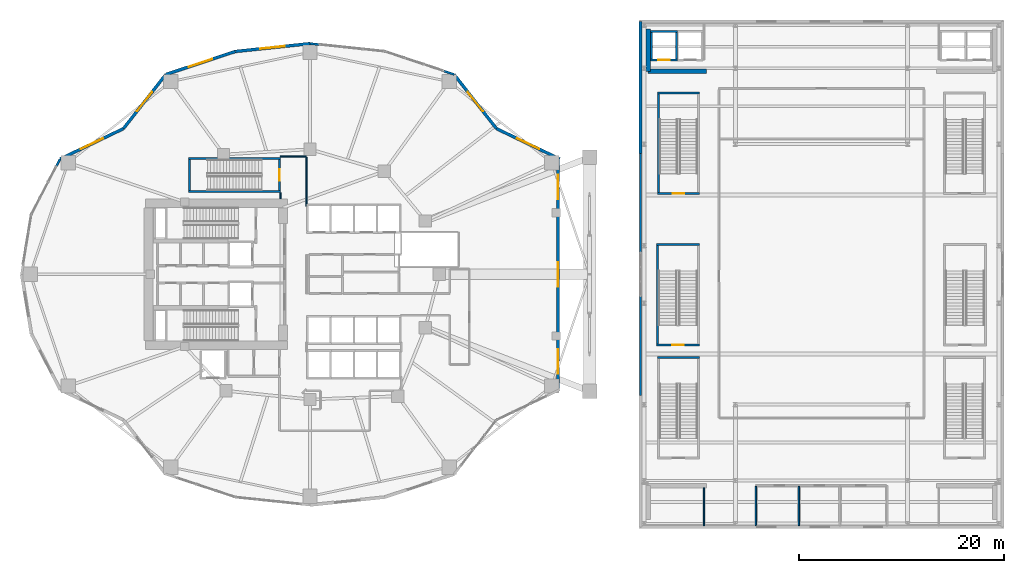
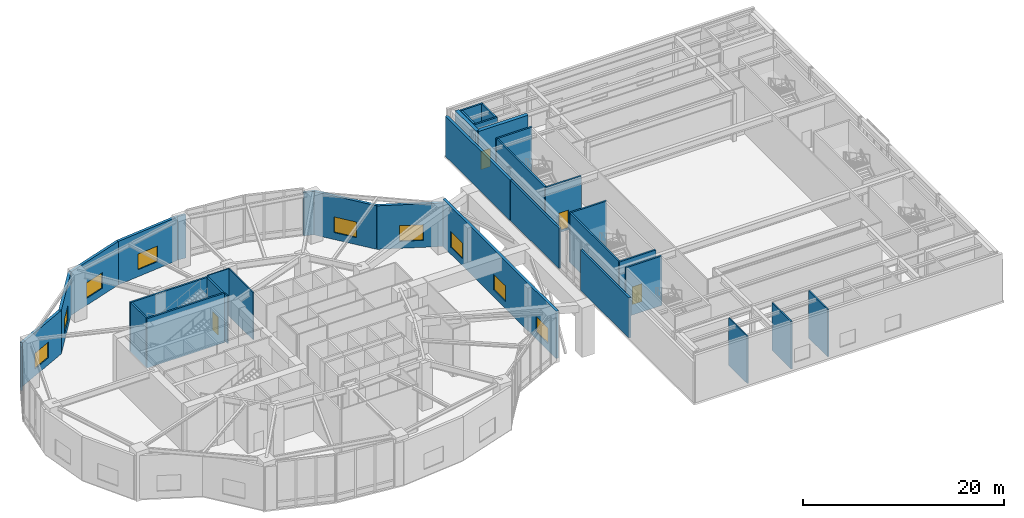
# One storey, part 18 of 25: 36 walls, 9 windows, 4 doors, 13 openings.
"""IFC4 building model written with IfcOpenShell, lengths in metres."""

import ifcopenshell
import ifcopenshell.guid

model = None  # the IFC model being written
_history = None  # IfcOwnerHistory: only IFC2X3 demands one
_inside = {}  # id of a spatial element -> (the spatial element, [elements in it])
_under = {}  # id of a project, library or spatial element -> (it, [spatial elements below it])
_declared = {}  # id of a project -> (the project, [libraries it declares])
_typed = {}  # id of a type object -> (the type object, [elements of that type])
_made_of = {}  # id of a material, layer set ... -> (it, [elements and type objects made of it])


def new_model(schema):
    """Start an empty IFC model of exactly this schema.

    Asked for "IFC4X3", IfcOpenShell would pick the latest addendum, in which some entities
    have other attributes; the version numbers below select the first issue.
    IFC2X3 requires an IfcOwnerHistory on every rooted entity: one is made here for all.
    """
    global model, _history
    if schema == "IFC4X3":
        model = ifcopenshell.file(schema_version=(4, 3, 0, 0))
    else:
        model = ifcopenshell.file(schema=schema)
    _inside.clear()
    _under.clear()
    _declared.clear()
    _typed.clear()
    _made_of.clear()
    _history = None
    if model.schema == "IFC2X3":
        org = make("IfcOrganization", Name="unknown")
        user = make(
            "IfcPersonAndOrganization",
            ThePerson=make("IfcPerson", FamilyName="unknown"),
            TheOrganization=org,
        )
        app = make(
            "IfcApplication",
            ApplicationDeveloper=org,
            Version="unknown",
            ApplicationFullName="unknown",
            ApplicationIdentifier="unknown",
        )
        _history = make(
            "IfcOwnerHistory",
            OwningUser=user,
            OwningApplication=app,
            ChangeAction="ADDED",
            CreationDate=0,
        )
    return model


def make(cls, **values):
    """One entity of the class cls with the attributes given. An attribute that is None is left unset."""
    return model.create_entity(
        cls, **{name: value for name, value in values.items() if value is not None}
    )


def rooted(cls, **values):
    """An entity with a GlobalId (a new one), such as an element, a storey or a relation."""
    return make(cls, GlobalId=ifcopenshell.guid.new(), OwnerHistory=_history, **values)


def si_unit(unit_type, name, prefix=None):
    """IfcSIUnit, for example si_unit("LENGTHUNIT", "METRE", prefix="MILLI")."""
    return make("IfcSIUnit", UnitType=unit_type, Prefix=prefix, Name=name)


def assignment(units):
    """IfcUnitAssignment: the units of a project."""
    return None if units is None else make("IfcUnitAssignment", Units=units)


def point(xyz):
    """IfcCartesianPoint."""
    return None if xyz is None else make("IfcCartesianPoint", Coordinates=xyz)


def direction(xyz):
    """IfcDirection."""
    return None if xyz is None else make("IfcDirection", DirectionRatios=xyz)


def frame(location, z_axis=None, x_axis=None):
    """IfcAxis2Placement3D, a coordinate frame: its origin and axes. An axis left out is left unset."""
    return make(
        "IfcAxis2Placement3D",
        Location=point(location),
        Axis=direction(z_axis),
        RefDirection=direction(x_axis),
    )


def frame_2d(location, x_axis=None):
    """IfcAxis2Placement2D, a coordinate frame in the plane: its origin and x axis."""
    return make(
        "IfcAxis2Placement2D", Location=point(location), RefDirection=direction(x_axis)
    )


def origin():
    """The frame at (0, 0, 0) with its axes left unset."""
    return frame((0.0, 0.0, 0.0))


def place(relative_to, where):
    """IfcLocalPlacement: puts the frame where relative to a parent placement (None: the world)."""
    return make(
        "IfcLocalPlacement", PlacementRelTo=relative_to, RelativePlacement=where
    )


def context(
    kind, dimensions, precision=None, world=None, true_north=None, identifier=None
):
    """IfcGeometricRepresentationContext, for example the 3D "Model" context."""
    return make(
        "IfcGeometricRepresentationContext",
        ContextIdentifier=identifier,
        ContextType=kind,
        CoordinateSpaceDimension=dimensions,
        Precision=precision,
        WorldCoordinateSystem=world,
        TrueNorth=true_north,
    )


def subcontext(parent, identifier, kind, view, scale=None):
    """IfcGeometricRepresentationSubContext, for example "Body" below "Model"."""
    return make(
        "IfcGeometricRepresentationSubContext",
        ContextIdentifier=identifier,
        ContextType=kind,
        ParentContext=parent,
        TargetScale=scale,
        TargetView=view,
    )


def project(units=None, contexts=None):
    """IfcProject with its units and contexts."""
    return rooted(
        "IfcProject",
        Name="project",
        RepresentationContexts=contexts,
        UnitsInContext=assignment(units),
    )


def spatial(cls, under=None, at=None, **own):
    """A site, building, storey or space (cls), placed at a placement, below another one or the project."""
    s = rooted(cls, ObjectPlacement=at, **own)
    if under is not None:
        _under.setdefault(under.id(), (under, []))[1].append(s)
    return s


def profile(cls, at=None, kind="AREA", **sizes):
    """A parametric profile (cls). Its sizes go by their IFC names, for example OverallWidth=200.0."""
    return make(cls, ProfileType=kind, Position=at, **sizes)


def rectangle(**sizes):
    """IfcRectangleProfileDef."""
    return profile("IfcRectangleProfileDef", **sizes)


def extrude(swept, where, along, depth):
    """IfcExtrudedAreaSolid: the profile swept, set in the frame where, extruded along a direction by depth."""
    return make(
        "IfcExtrudedAreaSolid",
        SweptArea=swept,
        Position=where,
        ExtrudedDirection=direction(along),
        Depth=depth,
    )


def shape(context_of_items, identifier, shape_type, items):
    """IfcShapeRepresentation: the items that make up one representation, for example the "Body"."""
    return make(
        "IfcShapeRepresentation",
        ContextOfItems=context_of_items,
        RepresentationIdentifier=identifier,
        RepresentationType=shape_type,
        Items=items,
    )


def material(Name=None, Category=None):
    """IfcMaterial."""
    return make("IfcMaterial", Name=Name, Category=Category)


def layer(
    of_material, thickness, ventilated=None, Name=None, Category=None, Priority=None
):
    """IfcMaterialLayer: one layer of a wall or slab, of a material (None: an air gap)."""
    return make(
        "IfcMaterialLayer",
        Material=of_material,
        LayerThickness=thickness,
        IsVentilated=ventilated,
        Name=Name,
        Category=Category,
        Priority=Priority,
    )


def layer_set(layers, Name=None):
    """IfcMaterialLayerSet."""
    return make("IfcMaterialLayerSet", MaterialLayers=layers, LayerSetName=Name)


def made_of(thing, what):
    """Note that an element or type object is made of a material, layer set ...; save() writes the relation."""
    if what is not None:
        _made_of.setdefault(what.id(), (what, []))[1].append(thing)
    return thing


def type_object(cls, material=None, **own):
    """A type object (cls), such as IfcWallType, which elements share."""
    return made_of(rooted(cls, **own), material)


def element(
    cls,
    number,
    at=None,
    inside=None,
    cuts=None,
    type_object=None,
    material=None,
    context=None,
    identifier="Body",
    shape_type=None,
    held_by="IfcProductDefinitionShape",
    body=None,
    shapes=None,
    **own,
):
    """One element of the class cls, such as IfcWall. Its Tag is "e" and its number.

    at: its placement. inside: the storey or other place that contains it. cuts: it is an
    opening in that element (IfcRelVoidsElement). A single representation is given by context,
    identifier, shape_type and body (its items); several are given by shapes. held_by: the class
    of the entity that holds the representations. save() writes the other relations.
    """
    e = rooted(cls, Tag="e%d" % number, ObjectPlacement=at, **own)
    if body is not None:
        shapes = [shape(context, identifier, shape_type, body)]
    if shapes is not None:
        e.Representation = make(held_by, Representations=shapes)
    if inside is not None:
        _inside.setdefault(inside.id(), (inside, []))[1].append(e)
    if cuts is not None:
        rooted(
            "IfcRelVoidsElement", RelatingBuildingElement=cuts, RelatedOpeningElement=e
        )
    if type_object is not None:
        _typed.setdefault(type_object.id(), (type_object, []))[1].append(e)
    return made_of(e, material)


def fill(opening, filler):
    """IfcRelFillsElement: the door or window that sits in an opening."""
    return rooted(
        "IfcRelFillsElement",
        RelatingOpeningElement=opening,
        RelatedBuildingElement=filler,
    )


def aggregate(whole, parts):
    """IfcRelAggregates: a whole, such as a stair, and the parts it consists of."""
    return rooted("IfcRelAggregates", RelatingObject=whole, RelatedObjects=parts)


def save(model, path):
    """Write the relations noted so far, then the file.

    IfcRelAggregates (storeys below a building ...), IfcRelContainedInSpatialStructure (elements
    in a storey), IfcRelDefinesByType, IfcRelAssociatesMaterial and IfcRelDeclares: one each for
    every whole, place, type object, material and project.
    """
    for whole, parts in _under.values():
        aggregate(whole, parts)
    for where, things in _inside.values():
        rooted(
            "IfcRelContainedInSpatialStructure",
            RelatedElements=things,
            RelatingStructure=where,
        )
    for kind, things in _typed.values():
        rooted("IfcRelDefinesByType", RelatedObjects=things, RelatingType=kind)
    for what, things in _made_of.values():
        rooted("IfcRelAssociatesMaterial", RelatedObjects=things, RelatingMaterial=what)
    for by, libraries in _declared.values():
        rooted("IfcRelDeclares", RelatingContext=by, RelatedDefinitions=libraries)
    model.write(path)


model = new_model("IFC4")

# Units and contexts
model_context = context("Model", 3, precision=1e-05, world=origin(), true_north=direction((0.0, 1.0)))
body_context = subcontext(model_context, "Body", "Model", "MODEL_VIEW")
ifc_project = project(units=[si_unit("LENGTHUNIT", "METRE"), si_unit("AREAUNIT", "SQUARE_METRE"), si_unit("VOLUMEUNIT", "CUBIC_METRE"), si_unit("PLANEANGLEUNIT", "RADIAN"), si_unit("MASSUNIT", "GRAM", prefix="KILO")], contexts=[model_context])

# Site, building, storey
site_placement = place(None, origin())
site = spatial("IfcSite", under=ifc_project, at=site_placement, CompositionType="ELEMENT")
building_placement = place(site_placement, origin())
building = spatial("IfcBuilding", under=site, at=building_placement, Name="Kolvaren Gate Tower and Convention Centre", CompositionType="ELEMENT")
storey_placement = place(building_placement, frame((0.0, 0.0, 15.0)))
storey = spatial("IfcBuildingStorey", under=building, at=storey_placement, Name="L03", CompositionType="ELEMENT", Elevation=15.0)

# Walls
ifc_material_1 = material(Name="Fire-Rated Acoustic Gypsum Stud Partition", Category="gypsum")
ifc_layer_1 = layer(ifc_material_1, 0.1201171875)
ifc_layer_set_1 = layer_set([ifc_layer_1], Name="Fire-Rated Acoustic Gypsum Stud Partition")
wall_type_1 = type_object("IfcWallType", Name="ARCH-WL-PART-120", PredefinedType="PARTITIONING", material=ifc_layer_set_1)
wall_1_placement = place(storey_placement, frame((27.25, 34.35205078125, 0.0), z_axis=(0.0, 0.0, 1.0), x_axis=(0.0, 1.0, 0.0)))
element("IfcWall", 1, at=wall_1_placement, inside=storey, type_object=wall_type_1, Name="Interior Partition WL-L03-INT-026", PredefinedType="PARTITIONING", context=body_context, shape_type="SweptSolid", body=[
    extrude(rectangle(XDim=0.60595703125, YDim=0.1201171875, at=frame_2d((0.302978515625, 0.0))), origin(), (0.0, 0.0, 1.0), 5.760009765625),
])
wall_2_placement = place(storey_placement, frame((27.25, 38.5, 0.0), z_axis=(0.0, 0.0, 1.0), x_axis=(1.0, 0.0, 0.0)))
element("IfcWall", 2, at=wall_2_placement, inside=storey, type_object=wall_type_1, Name="Interior Partition WL-L03-INT-027", PredefinedType="PARTITIONING", context=body_context, shape_type="SweptSolid", body=[
    extrude(rectangle(XDim=2.530029296875, YDim=0.1201171875, at=frame_2d((1.26513671875, 0.0))), origin(), (0.0, 0.0, 1.0), 5.760009765625),
])
wall_3_placement = place(storey_placement, frame((29.780029296875, 33.639892578125, 0.0), z_axis=(0.0, 0.0, 1.0), x_axis=(0.0, 1.0, 0.0)))
element("IfcWall", 3, at=wall_3_placement, inside=storey, type_object=wall_type_1, Name="Interior Partition WL-L03-INT-030", PredefinedType="PARTITIONING", context=body_context, shape_type="SweptSolid", body=[
    extrude(rectangle(XDim=4.798095703125, YDim=0.1201171875, at=frame_2d((2.39892578125, 0.0))), origin(), (0.0, 0.0, 1.0), 5.760009765625),
])
wall_4_placement = place(storey_placement, frame((68.550048828125, 2.501953125, 0.0), z_axis=(0.0, 0.0, 1.0), x_axis=(0.0, 1.0, 0.0)))
element("IfcWall", 4, at=wall_4_placement, inside=storey, type_object=wall_type_1, Name="Interior Partition WL-L03-INT-047", PredefinedType="PARTITIONING", context=body_context, shape_type="SweptSolid", body=[
    extrude(rectangle(XDim=3.68603515625, YDim=0.1201171875, at=frame_2d((1.843017578125, 0.0))), origin(), (0.0, 0.0, 1.0), 5.760009765625),
])
ifc_material_2 = material(Name="Bogota Sabana Bush-Hammered Sandstone Cladding", Category="masonry")
ifc_layer_2 = layer(ifc_material_2, 0.219970703125)
ifc_layer_set_2 = layer_set([ifc_layer_2], Name="Bogota Sabana Bush-Hammered Sandstone Cladding")
wall_type_2 = type_object("IfcWallType", Name="ARCH-WL-PIER-220", PredefinedType="SOLIDWALL", material=ifc_layer_set_2)
wall_5_placement = place(storey_placement, frame((43.148193359375, 46.830078125, 0.0), z_axis=(0.0, 0.0, 1.0), x_axis=(0.949217086672, -0.314621872045, 0.0)))
element("IfcWall", 5, at=wall_5_placement, inside=storey, type_object=wall_type_2, Name="Tower L03 Unitised Curtain Wall CW-POD-GLZ Bay 04 Right Column Pier Wrap", PredefinedType="SOLIDWALL", context=body_context, shape_type="SweptSolid", body=[
    extrude(rectangle(XDim=1.094970703125, YDim=0.219970703125, at=frame_2d((0.54736328125, 0.0))), origin(), (0.0, 0.0, 1.0), 5.282958984375),
])
wall_6_placement = place(storey_placement, frame((30.125, 49.5, 0.0), z_axis=(0.0, 0.0, 1.0), x_axis=(0.994486716049, -0.104862632057, 0.0)))
element("IfcWall", 6, at=wall_6_placement, inside=storey, type_object=wall_type_2, Name="Tower L03 Unitised Curtain Wall CW-POD-GLZ Bay 05 Left Column Pier Wrap", PredefinedType="SOLIDWALL", context=body_context, shape_type="SweptSolid", body=[
    extrude(rectangle(XDim=0.928955078125, YDim=0.219970703125, at=frame_2d((0.46435546875, 0.0))), origin(), (0.0, 0.0, 1.0), 5.282958984375),
])
wall_7_placement = place(storey_placement, frame((5.3994140625, 37.537841796875, 0.0), z_axis=(0.0, 0.0, 1.0), x_axis=(0.459712774547, 0.88806765785, 0.0)))
element("IfcWall", 7, at=wall_7_placement, inside=storey, type_object=wall_type_2, Name="Tower L03 Unitised Curtain Wall CW-POD-GLZ Bay 10 Right Column Pier Wrap", PredefinedType="SOLIDWALL", context=body_context, shape_type="SweptSolid", body=[
    extrude(rectangle(XDim=0.802001953125, YDim=0.219970703125, at=frame_2d((0.40087890625, 0.0))), origin(), (0.0, 0.0, 1.0), 5.282958984375),
])
for number, where, z_axis, x_axis, name in (
    (8, (62.35009765625, 15.199951171875, 0.0), (0.0, 0.0, 1.0), (0.0, 1.0, 0.0), "Convention L03 W Foyer Curtain Wall CW-CC-L03-W Left Column Pier Wrap"),
    (9, (62.35009765625, 29.139892578125, 0.0), (0.0, 0.0, 1.0), (0.0, 1.0, 0.0), "Convention L03 W Foyer Curtain Wall CW-CC-L03-W Right Column Pier Wrap"),
):
    element("IfcWall", number, at=place(storey_placement, frame(where, z_axis=z_axis, x_axis=x_axis)), inside=storey, type_object=wall_type_2, Name=name, PredefinedType="SOLIDWALL", context=body_context, shape_type="SweptSolid", body=[
        extrude(rectangle(XDim=9.66015625, YDim=0.219970703125, at=frame_2d((4.830078125, 0.0))), origin(), (0.0, 0.0, 1.0), 4.89697265625),
    ])
ifc_material_3 = material(Name="Autoclaved Aerated Masonry Blockwork Class 4 (4.0 MPa)", Category="masonry")
ifc_layer_3 = layer(ifc_material_3, 0.199951171875)
ifc_layer_set_3 = layer_set([ifc_layer_3], Name="Autoclaved Aerated Masonry Blockwork Class 4 (4.0 MPa)")
wall_type_3 = type_object("IfcWallType", Name="ARCH-WL-SHAFT-200", PredefinedType="SOLIDWALL", material=ifc_layer_set_3)
wall_8_placement = place(storey_placement, frame((63.35009765625, 50.699951171875, 0.0), z_axis=(0.0, 0.0, 1.0), x_axis=(1.0, 0.0, 0.0)))
element("IfcWall", 10, at=wall_8_placement, inside=storey, type_object=wall_type_3, Name="Elevator CL-01 L03 Fire Shaft Wall N", PredefinedType="SOLIDWALL", context=body_context, shape_type="SweptSolid", body=[
    extrude(rectangle(XDim=2.599853515625, YDim=0.199951171875, at=frame_2d((1.2998046875, 0.0))), origin(), (0.0, 0.0, 1.0), 5.760009765625),
])

# Wall, opening, door
wall_9_placement = place(storey_placement, frame((63.35009765625, 47.89990234375, 0.0), z_axis=(0.0, 0.0, 1.0), x_axis=(1.0, 0.0, 0.0)))
wall_9 = element("IfcWall", 11, at=wall_9_placement, inside=storey, type_object=wall_type_3, Name="Elevator CL-01 L03 Fire Shaft Wall S", PredefinedType="SOLIDWALL", context=body_context, shape_type="SweptSolid", body=[
    extrude(rectangle(XDim=2.599853515625, YDim=0.199951171875, at=frame_2d((1.2998046875, 0.0))), origin(), (0.0, 0.0, 1.0), 5.760009765625),
])
opening_1_placement = place(wall_9_placement, frame((0.75, 0.0, 0.0)))
opening_1 = element("IfcOpeningElement", 12, at=opening_1_placement, cuts=wall_9, Name="Opening LD", PredefinedType="OPENING", context=body_context, shape_type="SweptSolid", body=[
    extrude(rectangle(XDim=1.10009765625, YDim=2.199951171875, at=frame_2d((0.550048828125, 1.10009765625))), frame((0.0, 0.10986328125, 0.0), z_axis=(0.0, -1.0, 0.0), x_axis=(1.0, 0.0, 0.0)), (0.0, 0.0, 1.0), 0.219970703125),
])
ifc_material_4 = material(Name="Brushed Stainless Steel Grade 316L", Category="steel")
door_type_1 = type_object("IfcDoorType", Name="ARCH-DR-LIFT-1100", OperationType="SLIDING_TO_LEFT", PredefinedType="DOOR", material=ifc_material_4)
door_1_placement = place(opening_1_placement, origin())
door_1 = element("IfcDoor", 13, at=door_1_placement, inside=storey, type_object=door_type_1, Name="Elevator CL-01 L03 Sliding Landing Door", OperationType="SLIDING_TO_LEFT", OverallHeight=2.199951171875, OverallWidth=1.10009765625, PredefinedType="DOOR", context=body_context, shape_type="SweptSolid", body=[
    extrude(rectangle(XDim=1.10009765625, YDim=2.199951171875, at=frame_2d((0.550048828125, 1.10009765625))), frame((0.0, 0.02490234375, 0.0), z_axis=(0.0, -1.0, 0.0), x_axis=(1.0, 0.0, 0.0)), (0.0, 0.0, 1.0), 0.050048828125),
])
fill(opening_1, door_1)

# Walls
for number, where, z_axis, x_axis, name in (
    (14, (63.449951171875, 48.010009765625, 0.0), (0.0, 0.0, 1.0), (0.0, 1.0, 0.0), "Elevator CL-01 L03 Fire Shaft Wall W"),
    (15, (65.85009765625, 48.010009765625, 0.0), (0.0, 0.0, 1.0), (0.0, 1.0, 0.0), "Elevator CL-01 L03 Fire Shaft Wall E"),
):
    element("IfcWall", number, at=place(storey_placement, frame(where, z_axis=z_axis, x_axis=x_axis)), inside=storey, type_object=wall_type_3, Name=name, PredefinedType="SOLIDWALL", context=body_context, shape_type="SweptSolid", body=[
        extrude(rectangle(XDim=2.580078125, YDim=0.199951171875, at=frame_2d((1.2900390625, 0.0))), origin(), (0.0, 0.0, 1.0), 5.760009765625),
    ])

# Wall, opening, window
ifc_material_5 = material(Name="Piedmont Cream Honed Limestone Cladding", Category="masonry")
ifc_layer_4 = layer(ifc_material_5, 0.300048828125)
ifc_layer_set_4 = layer_set([ifc_layer_4], Name="Piedmont Cream Honed Limestone Cladding")
wall_type_4 = type_object("IfcWallType", Name="ARCH-WL-STONE-300", PredefinedType="SOLIDWALL", material=ifc_layer_set_4)
wall_10_placement = place(storey_placement, frame((48.315185546875, 41.212890625, 0.0), z_axis=(0.0, 0.0, 1.0), x_axis=(0.901360393999, -0.433069786673, 0.0)))
wall_10 = element("IfcWall", 16, at=wall_10_placement, inside=storey, type_object=wall_type_4, Name="Tower L03 Honed Stone Spandrel Wall EW-02", PredefinedType="SOLIDWALL", context=body_context, shape_type="SweptSolid", body=[
    extrude(rectangle(XDim=6.841552734375, YDim=0.300048828125, at=frame_2d((3.4208984375, 0.0))), origin(), (0.0, 0.0, 1.0), 5.282958984375),
])
opening_2_placement = place(wall_10_placement, frame((2.220947265625, 0.0, 0.85009765625)))
opening_2 = element("IfcOpeningElement", 17, at=opening_2_placement, cuts=wall_10, Name="Opening W-01", PredefinedType="OPENING", context=body_context, shape_type="SweptSolid", body=[
    extrude(rectangle(XDim=2.39990234375, YDim=1.89990234375, at=frame_2d((1.199951171875, 0.949951171875))), frame((0.0, 0.159912109375, 0.0), z_axis=(0.0, -1.0, 0.0), x_axis=(1.0, 0.0, 0.0)), (0.0, 0.0, 1.0), 0.320068359375),
])
ifc_material_6 = material(Name="Low-E Triple Insulated Glazing Unit 44 mm", Category="glass")
window_type = type_object("IfcWindowType", Name="ARCH-WN-OFF-2400", PartitioningType="SINGLE_PANEL", PredefinedType="WINDOW", material=ifc_material_6)
window_1_placement = place(opening_2_placement, origin())
window_1 = element("IfcWindow", 18, at=window_1_placement, inside=storey, type_object=window_type, Name="Tower L03 Punched Stone Facade Window W-02", OverallHeight=1.89990234375, OverallWidth=2.39990234375, PartitioningType="SINGLE_PANEL", PredefinedType="WINDOW", context=body_context, shape_type="SweptSolid", body=[
    extrude(rectangle(XDim=2.39990234375, YDim=1.89990234375, at=frame_2d((1.199951171875, 0.949951171875))), frame((0.0, 0.030029296875, 0.0), z_axis=(0.0, -1.0, 0.0), x_axis=(1.0, 0.0, 0.0)), (0.0, 0.0, 1.0), 0.06005859375),
])
fill(opening_2, window_1)

wall_11_placement = place(storey_placement, frame((44.1875, 46.485595703125, 0.0), z_axis=(0.0, 0.0, 1.0), x_axis=(0.616421309777, -0.787416515482, 0.0)))
wall_11 = element("IfcWall", 19, at=wall_11_placement, inside=storey, type_object=wall_type_4, Name="Tower L03 Honed Stone Spandrel Wall EW-03", PredefinedType="SOLIDWALL", context=body_context, shape_type="SweptSolid", body=[
    extrude(rectangle(XDim=6.6962890625, YDim=0.300048828125, at=frame_2d((3.34814453125, 0.0))), origin(), (0.0, 0.0, 1.0), 5.282958984375),
])
opening_3_placement = place(wall_11_placement, frame((2.14794921875, 0.0, 0.85009765625)))
opening_3 = element("IfcOpeningElement", 20, at=opening_3_placement, cuts=wall_11, Name="Opening W-01", PredefinedType="OPENING", context=body_context, shape_type="SweptSolid", body=[
    extrude(rectangle(XDim=2.39990234375, YDim=1.89990234375, at=frame_2d((1.199951171875, 0.949951171875))), frame((0.0, 0.159912109375, 0.0), z_axis=(0.0, -1.0, 0.0), x_axis=(1.0, 0.0, 0.0)), (0.0, 0.0, 1.0), 0.320068359375),
])
window_2_placement = place(opening_3_placement, origin())
window_2 = element("IfcWindow", 21, at=window_2_placement, inside=storey, type_object=window_type, Name="Tower L03 Punched Stone Facade Window W-03", OverallHeight=1.89990234375, OverallWidth=2.39990234375, PartitioningType="SINGLE_PANEL", PredefinedType="WINDOW", context=body_context, shape_type="SweptSolid", body=[
    extrude(rectangle(XDim=2.39990234375, YDim=1.89990234375, at=frame_2d((1.199951171875, 0.949951171875))), frame((0.0, 0.030029296875, 0.0), z_axis=(0.0, -1.0, 0.0), x_axis=(1.0, 0.0, 0.0)), (0.0, 0.0, 1.0), 0.06005859375),
])
fill(opening_3, window_2)

wall_12_placement = place(storey_placement, frame((22.845703125, 48.7333984375, 0.0), z_axis=(0.0, 0.0, 1.0), x_axis=(0.994500334317, 0.104733399844, 0.0)))
wall_12 = element("IfcWall", 22, at=wall_12_placement, inside=storey, type_object=wall_type_4, Name="Tower L03 Honed Stone Spandrel Wall EW-06", PredefinedType="SOLIDWALL", context=body_context, shape_type="SweptSolid", body=[
    extrude(rectangle(XDim=7.319580078125, YDim=0.300048828125, at=frame_2d((3.65966796875, 0.0))), origin(), (0.0, 0.0, 1.0), 5.282958984375),
])
opening_4_placement = place(wall_12_placement, frame((2.4599609375, 0.0, 0.85009765625)))
opening_4 = element("IfcOpeningElement", 23, at=opening_4_placement, cuts=wall_12, Name="Opening W-01", PredefinedType="OPENING", context=body_context, shape_type="SweptSolid", body=[
    extrude(rectangle(XDim=2.39990234375, YDim=1.89990234375, at=frame_2d((1.199951171875, 0.949951171875))), frame((0.0, 0.159912109375, 0.0), z_axis=(0.0, -1.0, 0.0), x_axis=(1.0, 0.0, 0.0)), (0.0, 0.0, 1.0), 0.320068359375),
])
window_3_placement = place(opening_4_placement, origin())
window_3 = element("IfcWindow", 24, at=window_3_placement, inside=storey, type_object=window_type, Name="Tower L03 Punched Stone Facade Window W-06", OverallHeight=1.89990234375, OverallWidth=2.39990234375, PartitioningType="SINGLE_PANEL", PredefinedType="WINDOW", context=body_context, shape_type="SweptSolid", body=[
    extrude(rectangle(XDim=2.39990234375, YDim=1.89990234375, at=frame_2d((1.199951171875, 0.949951171875))), frame((0.0, 0.030029296875, 0.0), z_axis=(0.0, -1.0, 0.0), x_axis=(1.0, 0.0, 0.0)), (0.0, 0.0, 1.0), 0.06005859375),
])
fill(opening_4, window_3)

wall_13_placement = place(storey_placement, frame((16.0625, 46.485595703125, 0.0), z_axis=(0.0, 0.0, 1.0), x_axis=(0.949238715533, 0.31455661006, 0.0)))
wall_13 = element("IfcWall", 25, at=wall_13_placement, inside=storey, type_object=wall_type_4, Name="Tower L03 Honed Stone Spandrel Wall EW-07", PredefinedType="SOLIDWALL", context=body_context, shape_type="SweptSolid", body=[
    extrude(rectangle(XDim=7.14599609375, YDim=0.300048828125, at=frame_2d((3.572998046875, 0.0))), origin(), (0.0, 0.0, 1.0), 5.282958984375),
])
opening_5_placement = place(wall_13_placement, frame((2.373046875, 0.0, 0.85009765625)))
opening_5 = element("IfcOpeningElement", 26, at=opening_5_placement, cuts=wall_13, Name="Opening W-01", PredefinedType="OPENING", context=body_context, shape_type="SweptSolid", body=[
    extrude(rectangle(XDim=2.39990234375, YDim=1.89990234375, at=frame_2d((1.199951171875, 0.949951171875))), frame((0.0, 0.159912109375, 0.0), z_axis=(0.0, -1.0, 0.0), x_axis=(1.0, 0.0, 0.0)), (0.0, 0.0, 1.0), 0.320068359375),
])
window_4_placement = place(opening_5_placement, origin())
window_4 = element("IfcWindow", 27, at=window_4_placement, inside=storey, type_object=window_type, Name="Tower L03 Punched Stone Facade Window W-07", OverallHeight=1.89990234375, OverallWidth=2.39990234375, PartitioningType="SINGLE_PANEL", PredefinedType="WINDOW", context=body_context, shape_type="SweptSolid", body=[
    extrude(rectangle(XDim=2.39990234375, YDim=1.89990234375, at=frame_2d((1.199951171875, 0.949951171875))), frame((0.0, 0.030029296875, 0.0), z_axis=(0.0, -1.0, 0.0), x_axis=(1.0, 0.0, 0.0)), (0.0, 0.0, 1.0), 0.06005859375),
])
fill(opening_5, window_4)

wall_14_placement = place(storey_placement, frame((11.934814453125, 41.212890625, 0.0), z_axis=(0.0, 0.0, 1.0), x_axis=(0.616421309777, 0.787416515482, 0.0)))
wall_14 = element("IfcWall", 28, at=wall_14_placement, inside=storey, type_object=wall_type_4, Name="Tower L03 Honed Stone Spandrel Wall EW-08", PredefinedType="SOLIDWALL", context=body_context, shape_type="SweptSolid", body=[
    extrude(rectangle(XDim=6.6962890625, YDim=0.300048828125, at=frame_2d((3.34814453125, 0.0))), origin(), (0.0, 0.0, 1.0), 5.282958984375),
])
opening_6_placement = place(wall_14_placement, frame((2.14794921875, 0.0, 0.85009765625)))
opening_6 = element("IfcOpeningElement", 29, at=opening_6_placement, cuts=wall_14, Name="Opening W-01", PredefinedType="OPENING", context=body_context, shape_type="SweptSolid", body=[
    extrude(rectangle(XDim=2.39990234375, YDim=1.89990234375, at=frame_2d((1.199951171875, 0.949951171875))), frame((0.0, 0.159912109375, 0.0), z_axis=(0.0, -1.0, 0.0), x_axis=(1.0, 0.0, 0.0)), (0.0, 0.0, 1.0), 0.320068359375),
])
window_5_placement = place(opening_6_placement, origin())
window_5 = element("IfcWindow", 30, at=window_5_placement, inside=storey, type_object=window_type, Name="Tower L03 Punched Stone Facade Window W-08", OverallHeight=1.89990234375, OverallWidth=2.39990234375, PartitioningType="SINGLE_PANEL", PredefinedType="WINDOW", context=body_context, shape_type="SweptSolid", body=[
    extrude(rectangle(XDim=2.39990234375, YDim=1.89990234375, at=frame_2d((1.199951171875, 0.949951171875))), frame((0.0, 0.030029296875, 0.0), z_axis=(0.0, -1.0, 0.0), x_axis=(1.0, 0.0, 0.0)), (0.0, 0.0, 1.0), 0.06005859375),
])
fill(opening_6, window_5)

wall_15_placement = place(storey_placement, frame((5.76806640625, 38.25, 0.0), z_axis=(0.0, 0.0, 1.0), x_axis=(0.901360393999, 0.433069786673, 0.0)))
wall_15 = element("IfcWall", 31, at=wall_15_placement, inside=storey, type_object=wall_type_4, Name="Tower L03 Honed Stone Spandrel Wall EW-09", PredefinedType="SOLIDWALL", context=body_context, shape_type="SweptSolid", body=[
    extrude(rectangle(XDim=6.841552734375, YDim=0.300048828125, at=frame_2d((3.4208984375, 0.0))), origin(), (0.0, 0.0, 1.0), 5.282958984375),
])
opening_7_placement = place(wall_15_placement, frame((2.220947265625, 0.0, 0.85009765625)))
opening_7 = element("IfcOpeningElement", 32, at=opening_7_placement, cuts=wall_15, Name="Opening W-01", PredefinedType="OPENING", context=body_context, shape_type="SweptSolid", body=[
    extrude(rectangle(XDim=2.39990234375, YDim=1.89990234375, at=frame_2d((1.199951171875, 0.949951171875))), frame((0.0, 0.159912109375, 0.0), z_axis=(0.0, -1.0, 0.0), x_axis=(1.0, 0.0, 0.0)), (0.0, 0.0, 1.0), 0.320068359375),
])
window_6_placement = place(opening_7_placement, origin())
window_6 = element("IfcWindow", 33, at=window_6_placement, inside=storey, type_object=window_type, Name="Tower L03 Punched Stone Facade Window W-09", OverallHeight=1.89990234375, OverallWidth=2.39990234375, PartitioningType="SINGLE_PANEL", PredefinedType="WINDOW", context=body_context, shape_type="SweptSolid", body=[
    extrude(rectangle(XDim=2.39990234375, YDim=1.89990234375, at=frame_2d((1.199951171875, 0.949951171875))), frame((0.0, 0.030029296875, 0.0), z_axis=(0.0, -1.0, 0.0), x_axis=(1.0, 0.0, 0.0)), (0.0, 0.0, 1.0), 0.06005859375),
])
fill(opening_7, window_6)

# Wall, openings, windows
wall_16_placement = place(storey_placement, frame((54.330078125, 15.75, 0.0), z_axis=(0.0, 0.0, 1.0), x_axis=(0.0, 1.0, 0.0)))
wall_16 = element("IfcWall", 34, at=wall_16_placement, inside=storey, type_object=wall_type_4, Name="Monumental Arch Recessed Portal Wall AW-L03", PredefinedType="SOLIDWALL", context=body_context, shape_type="SweptSolid", body=[
    extrude(rectangle(XDim=22.5, YDim=0.300048828125, at=frame_2d((11.25, 0.0))), origin(), (0.0, 0.0, 1.0), 5.760009765625),
])
opening_8_placement = place(wall_16_placement, frame((1.550048828125, 0.0, 0.85009765625)))
opening_8 = element("IfcOpeningElement", 35, at=opening_8_placement, cuts=wall_16, Name="Opening W-01", PredefinedType="OPENING", context=body_context, shape_type="SweptSolid", body=[
    extrude(rectangle(XDim=2.39990234375, YDim=1.89990234375, at=frame_2d((1.199951171875, 0.949951171875))), frame((0.0, 0.159912109375, 0.0), z_axis=(0.0, -1.0, 0.0), x_axis=(1.0, 0.0, 0.0)), (0.0, 0.0, 1.0), 0.320068359375),
])
opening_9_placement = place(wall_16_placement, frame((10.050048828125, 0.0, 0.85009765625)))
opening_9 = element("IfcOpeningElement", 36, at=opening_9_placement, cuts=wall_16, Name="Opening W-01", PredefinedType="OPENING", context=body_context, shape_type="SweptSolid", body=[
    extrude(rectangle(XDim=2.39990234375, YDim=1.89990234375, at=frame_2d((1.199951171875, 0.949951171875))), frame((0.0, 0.159912109375, 0.0), z_axis=(0.0, -1.0, 0.0), x_axis=(1.0, 0.0, 0.0)), (0.0, 0.0, 1.0), 0.320068359375),
])
opening_10_placement = place(wall_16_placement, frame((18.550048828125, 0.0, 0.85009765625)))
opening_10 = element("IfcOpeningElement", 37, at=opening_10_placement, cuts=wall_16, Name="Opening W-01", PredefinedType="OPENING", context=body_context, shape_type="SweptSolid", body=[
    extrude(rectangle(XDim=2.39990234375, YDim=1.89990234375, at=frame_2d((1.199951171875, 0.949951171875))), frame((0.0, 0.159912109375, 0.0), z_axis=(0.0, -1.0, 0.0), x_axis=(1.0, 0.0, 0.0)), (0.0, 0.0, 1.0), 0.320068359375),
])
window_7_placement = place(opening_8_placement, origin())
window_7 = element("IfcWindow", 38, at=window_7_placement, inside=storey, type_object=window_type, Name="Grand Arch Overlook Window AW-L03-1", OverallHeight=1.89990234375, OverallWidth=2.39990234375, PartitioningType="SINGLE_PANEL", PredefinedType="WINDOW", context=body_context, shape_type="SweptSolid", body=[
    extrude(rectangle(XDim=2.39990234375, YDim=1.89990234375, at=frame_2d((1.199951171875, 0.949951171875))), frame((0.0, 0.030029296875, 0.0), z_axis=(0.0, -1.0, 0.0), x_axis=(1.0, 0.0, 0.0)), (0.0, 0.0, 1.0), 0.06005859375),
])
fill(opening_8, window_7)
window_8_placement = place(opening_9_placement, origin())
window_8 = element("IfcWindow", 39, at=window_8_placement, inside=storey, type_object=window_type, Name="Grand Arch Overlook Window AW-L03-2", OverallHeight=1.89990234375, OverallWidth=2.39990234375, PartitioningType="SINGLE_PANEL", PredefinedType="WINDOW", context=body_context, shape_type="SweptSolid", body=[
    extrude(rectangle(XDim=2.39990234375, YDim=1.89990234375, at=frame_2d((1.199951171875, 0.949951171875))), frame((0.0, 0.030029296875, 0.0), z_axis=(0.0, -1.0, 0.0), x_axis=(1.0, 0.0, 0.0)), (0.0, 0.0, 1.0), 0.06005859375),
])
fill(opening_9, window_8)
window_9_placement = place(opening_10_placement, origin())
window_9 = element("IfcWindow", 40, at=window_9_placement, inside=storey, type_object=window_type, Name="Grand Arch Overlook Window AW-L03-3", OverallHeight=1.89990234375, OverallWidth=2.39990234375, PartitioningType="SINGLE_PANEL", PredefinedType="WINDOW", context=body_context, shape_type="SweptSolid", body=[
    extrude(rectangle(XDim=2.39990234375, YDim=1.89990234375, at=frame_2d((1.199951171875, 0.949951171875))), frame((0.0, 0.030029296875, 0.0), z_axis=(0.0, -1.0, 0.0), x_axis=(1.0, 0.0, 0.0)), (0.0, 0.0, 1.0), 0.06005859375),
])
fill(opening_10, window_9)

# Walls
wall_17_placement = place(storey_placement, frame((62.35009765625, 38.800048828125, 0.0), z_axis=(0.0, 0.0, 1.0), x_axis=(0.0, 1.0, 0.0)))
element("IfcWall", 41, at=wall_17_placement, inside=storey, type_object=wall_type_4, Name="Convention L03 W Stone Wing Wall North", PredefinedType="SOLIDWALL", context=body_context, shape_type="SweptSolid", body=[
    extrude(rectangle(XDim=12.849853515625, YDim=0.300048828125, at=frame_2d((6.4248046875, 0.0))), origin(), (0.0, 0.0, 1.0), 4.89697265625),
])
ifc_material_7 = material(Name="Moisture-Resistant Cement-Board Acoustic Partition", Category="gypsum")
ifc_layer_5 = layer(ifc_material_7, 0.14990234375)
ifc_layer_set_5 = layer_set([ifc_layer_5], Name="Moisture-Resistant Cement-Board Acoustic Partition")
wall_type_5 = type_object("IfcWallType", Name="ARCH-WL-WET-150", PredefinedType="PARTITIONING", material=ifc_layer_set_5)
for number, where, z_axis, x_axis, name in (
    (42, (73.60009765625, 2.501953125, 0.0), (0.0, 0.0, 1.0), (0.0, 1.0, 0.0), "Interior Partition WL-L03-INT-053"),
    (43, (77.800048828125, 2.501953125, 0.0), (0.0, 0.0, 1.0), (0.0, 1.0, 0.0), "Interior Partition WL-L03-INT-058"),
):
    element("IfcWall", number, at=place(storey_placement, frame(where, z_axis=z_axis, x_axis=x_axis)), inside=storey, type_object=wall_type_5, Name=name, PredefinedType="PARTITIONING", context=body_context, shape_type="SweptSolid", body=[
        extrude(rectangle(XDim=3.821044921875, YDim=0.14990234375, at=frame_2d((1.91064453125, 0.0))), origin(), (0.0, 0.0, 1.0), 5.760009765625),
    ])
ifc_material_8 = material(Name="Concrete C50/60", Category="concrete")
ifc_layer_6 = layer(ifc_material_8, 0.419921875)
ifc_layer_set_6 = layer_set([ifc_layer_6], Name="Concrete C50/60")
wall_type_6 = type_object("IfcWallType", Name="STR-WL-CONV-420", PredefinedType="SHEAR", material=ifc_layer_set_6)
wall_18_placement = place(storey_placement, frame((63.10009765625, 46.800048828125, -0.239990234375), z_axis=(0.0, 0.0, 1.0), x_axis=(0.0, 1.0, 0.0)))
element("IfcWall", 44, at=wall_18_placement, inside=storey, type_object=wall_type_6, Name="Convention L03 Shear Core Wall CCNW-W", PredefinedType="SHEAR", context=body_context, shape_type="SweptSolid", body=[
    extrude(rectangle(XDim=4.099853515625, YDim=0.419921875, at=frame_2d((2.0498046875, 0.0))), origin(), (0.0, 0.0, 1.0), 6.0),
])
wall_19_placement = place(storey_placement, frame((63.10009765625, 46.800048828125, -0.239990234375), z_axis=(0.0, 0.0, 1.0), x_axis=(1.0, 0.0, 0.0)))
element("IfcWall", 45, at=wall_19_placement, inside=storey, type_object=wall_type_6, Name="Convention L03 Shear Core Wall CCNW-S", PredefinedType="SHEAR", context=body_context, shape_type="SweptSolid", body=[
    extrude(rectangle(XDim=5.699951171875, YDim=0.419921875, at=frame_2d((2.85009765625, 0.0))), origin(), (0.0, 0.0, 1.0), 6.0),
])

# Wall, opening, door
ifc_layer_7 = layer(ifc_material_8, 0.199951171875)
ifc_layer_set_7 = layer_set([ifc_layer_7], Name="Concrete C50/60")
wall_type_7 = type_object("IfcWallType", Name="STR-WL-SHAFT-200", PredefinedType="SHEAR", material=ifc_layer_set_7)
wall_20_placement = place(storey_placement, frame((27.14990234375, 35.159912109375, -0.239990234375), z_axis=(0.0, 0.0, 1.0), x_axis=(0.0, 1.0, 0.0)))
wall_20 = element("IfcWall", 46, at=wall_20_placement, inside=storey, type_object=wall_type_7, Name="Tower Mid-Zone Exit Stair ST-T3 L03 Structural Shear Enclosure Wall NEAR", PredefinedType="SHEAR", context=body_context, shape_type="SweptSolid", body=[
    extrude(rectangle(XDim=3.0400390625, YDim=0.199951171875, at=frame_2d((1.52001953125, 0.0))), origin(), (0.0, 0.0, 1.0), 6.0),
])
opening_11_placement = place(wall_20_placement, frame((0.969970703125, 0.0, 0.239990234375)))
opening_11 = element("IfcOpeningElement", 47, at=opening_11_placement, cuts=wall_20, Name="Opening DS-01", PredefinedType="OPENING", context=body_context, shape_type="SweptSolid", body=[
    extrude(rectangle(XDim=1.10009765625, YDim=2.14990234375, at=frame_2d((0.550048828125, 1.074951171875))), frame((0.0, 0.10986328125, 0.0), z_axis=(0.0, -1.0, 0.0), x_axis=(1.0, 0.0, 0.0)), (0.0, 0.0, 1.0), 0.219970703125),
])
ifc_material_9 = material(Name="Painted Architectural Steelwork ASTM A500 Grade C 345 MPa", Category="steel")
door_type_2 = type_object("IfcDoorType", Name="ARCH-DR-STAIR-1100", OperationType="SINGLE_SWING_LEFT", PredefinedType="DOOR", material=ifc_material_9)
door_2_placement = place(opening_11_placement, origin())
door_2 = element("IfcDoor", 48, at=door_2_placement, inside=storey, type_object=door_type_2, Name="Tower Mid-Zone Exit Stair ST-T3 L03 Fire Exit Stair Door", OperationType="SINGLE_SWING_LEFT", OverallHeight=2.14990234375, OverallWidth=1.10009765625, PredefinedType="DOOR", context=body_context, shape_type="SweptSolid", body=[
    extrude(rectangle(XDim=1.10009765625, YDim=2.14990234375, at=frame_2d((0.550048828125, 1.074951171875))), frame((0.0, 0.02490234375, 0.0), z_axis=(0.0, -1.0, 0.0), x_axis=(1.0, 0.0, 0.0)), (0.0, 0.0, 1.0), 0.050048828125),
])
fill(opening_11, door_2)

# Walls
wall_21_placement = place(storey_placement, frame((18.39990234375, 35.159912109375, -0.239990234375), z_axis=(0.0, 0.0, 1.0), x_axis=(0.0, 1.0, 0.0)))
element("IfcWall", 49, at=wall_21_placement, inside=storey, type_object=wall_type_7, Name="Tower Mid-Zone Exit Stair ST-T3 L03 Structural Shear Enclosure Wall FAR", PredefinedType="SHEAR", context=body_context, shape_type="SweptSolid", body=[
    extrude(rectangle(XDim=3.0400390625, YDim=0.199951171875, at=frame_2d((1.52001953125, 0.0))), origin(), (0.0, 0.0, 1.0), 6.0),
])
for number, where, z_axis, x_axis, name in (
    (50, (18.300048828125, 38.300048828125, -0.239990234375), (0.0, 0.0, 1.0), (1.0, 0.0, 0.0), "Tower Mid-Zone Exit Stair ST-T3 L03 Structural Shear Enclosure Wall LEFT"),
    (51, (18.300048828125, 35.06005859375, -0.239990234375), (0.0, 0.0, 1.0), (1.0, 0.0, 0.0), "Tower Mid-Zone Exit Stair ST-T3 L03 Structural Shear Enclosure Wall RGHT"),
):
    element("IfcWall", number, at=place(storey_placement, frame(where, z_axis=z_axis, x_axis=x_axis)), inside=storey, type_object=wall_type_7, Name=name, PredefinedType="SHEAR", context=body_context, shape_type="SweptSolid", body=[
        extrude(rectangle(XDim=8.949951171875, YDim=0.199951171875, at=frame_2d((4.47509765625, 0.0))), origin(), (0.0, 0.0, 1.0), 6.0),
    ])

# Wall, opening, door
wall_22_placement = place(storey_placement, frame((64.0, 34.89990234375, -0.239990234375), z_axis=(0.0, 0.0, 1.0), x_axis=(1.0, 0.0, 0.0)))
wall_22 = element("IfcWall", 52, at=wall_22_placement, inside=storey, type_object=wall_type_7, Name="Convention NW Exit Stair ST-C1 L03 Structural Shear Enclosure Wall NEAR", PredefinedType="SHEAR", context=body_context, shape_type="SweptSolid", body=[
    extrude(rectangle(XDim=4.10009765625, YDim=0.199951171875, at=frame_2d((2.050048828125, 0.0))), origin(), (0.0, 0.0, 1.0), 6.0),
])
opening_12_placement = place(wall_22_placement, frame((1.5, 0.0, 0.239990234375)))
opening_12 = element("IfcOpeningElement", 53, at=opening_12_placement, cuts=wall_22, Name="Opening DS-01", PredefinedType="OPENING", context=body_context, shape_type="SweptSolid", body=[
    extrude(rectangle(XDim=1.10009765625, YDim=2.14990234375, at=frame_2d((0.550048828125, 1.074951171875))), frame((0.0, 0.10986328125, 0.0), z_axis=(0.0, -1.0, 0.0), x_axis=(1.0, 0.0, 0.0)), (0.0, 0.0, 1.0), 0.219970703125),
])
door_3_placement = place(opening_12_placement, origin())
door_3 = element("IfcDoor", 54, at=door_3_placement, inside=storey, type_object=door_type_2, Name="Convention NW Exit Stair ST-C1 L03 Fire Exit Stair Door", OperationType="SINGLE_SWING_LEFT", OverallHeight=2.14990234375, OverallWidth=1.10009765625, PredefinedType="DOOR", context=body_context, shape_type="SweptSolid", body=[
    extrude(rectangle(XDim=1.10009765625, YDim=2.14990234375, at=frame_2d((0.550048828125, 1.074951171875))), frame((0.0, 0.02490234375, 0.0), z_axis=(0.0, -1.0, 0.0), x_axis=(1.0, 0.0, 0.0)), (0.0, 0.0, 1.0), 0.050048828125),
])
fill(opening_12, door_3)

# Walls
wall_23_placement = place(storey_placement, frame((64.0, 44.699951171875, -0.239990234375), z_axis=(0.0, 0.0, 1.0), x_axis=(1.0, 0.0, 0.0)))
element("IfcWall", 55, at=wall_23_placement, inside=storey, type_object=wall_type_7, Name="Convention NW Exit Stair ST-C1 L03 Structural Shear Enclosure Wall FAR", PredefinedType="SHEAR", context=body_context, shape_type="SweptSolid", body=[
    extrude(rectangle(XDim=4.10009765625, YDim=0.199951171875, at=frame_2d((2.050048828125, 0.0))), origin(), (0.0, 0.0, 1.0), 6.0),
])
wall_24_placement = place(storey_placement, frame((64.10009765625, 35.001953125, -0.239990234375), z_axis=(0.0, 0.0, 1.0), x_axis=(0.0, 1.0, 0.0)))
element("IfcWall", 56, at=wall_24_placement, inside=storey, type_object=wall_type_7, Name="Convention NW Exit Stair ST-C1 L03 Structural Shear Enclosure Wall WEST", PredefinedType="SHEAR", context=body_context, shape_type="SweptSolid", body=[
    extrude(rectangle(XDim=9.595947265625, YDim=0.199951171875, at=frame_2d((4.7978515625, 0.0))), origin(), (0.0, 0.0, 1.0), 6.0),
])
wall_25_placement = place(storey_placement, frame((64.0, 18.89990234375, -0.239990234375), z_axis=(0.0, 0.0, 1.0), x_axis=(1.0, 0.0, 0.0)))
element("IfcWall", 57, at=wall_25_placement, inside=storey, type_object=wall_type_7, Name="Convention SW Exit Stair ST-C2 L03 Structural Shear Enclosure Wall FAR", PredefinedType="SHEAR", context=body_context, shape_type="SweptSolid", body=[
    extrude(rectangle(XDim=4.10009765625, YDim=0.199951171875, at=frame_2d((2.050048828125, 0.0))), origin(), (0.0, 0.0, 1.0), 6.0),
])

# Wall, opening, door
wall_26_placement = place(storey_placement, frame((63.89990234375, 20.10009765625, -0.239990234375), z_axis=(0.0, 0.0, 1.0), x_axis=(1.0, 0.0, 0.0)))
wall_26 = element("IfcWall", 58, at=wall_26_placement, inside=storey, type_object=wall_type_7, Name="Convention West Assembly Stair ST-C5 L03 Structural Shear Enclosure Wall NEAR", PredefinedType="SHEAR", context=body_context, shape_type="SweptSolid", body=[
    extrude(rectangle(XDim=4.2001953125, YDim=0.199951171875, at=frame_2d((2.10009765625, 0.0))), origin(), (0.0, 0.0, 1.0), 6.0),
])
opening_13_placement = place(wall_26_placement, frame((1.550048828125, 0.0, 0.239990234375)))
opening_13 = element("IfcOpeningElement", 59, at=opening_13_placement, cuts=wall_26, Name="Opening DS-01", PredefinedType="OPENING", context=body_context, shape_type="SweptSolid", body=[
    extrude(rectangle(XDim=1.10009765625, YDim=2.14990234375, at=frame_2d((0.550048828125, 1.074951171875))), frame((0.0, 0.10986328125, 0.0), z_axis=(0.0, -1.0, 0.0), x_axis=(1.0, 0.0, 0.0)), (0.0, 0.0, 1.0), 0.219970703125),
])
door_4_placement = place(opening_13_placement, origin())
door_4 = element("IfcDoor", 60, at=door_4_placement, inside=storey, type_object=door_type_2, Name="Convention West Assembly Stair ST-C5 L03 Fire Exit Stair Door", OperationType="SINGLE_SWING_LEFT", OverallHeight=2.14990234375, OverallWidth=1.10009765625, PredefinedType="DOOR", context=body_context, shape_type="SweptSolid", body=[
    extrude(rectangle(XDim=1.10009765625, YDim=2.14990234375, at=frame_2d((0.550048828125, 1.074951171875))), frame((0.0, 0.02490234375, 0.0), z_axis=(0.0, -1.0, 0.0), x_axis=(1.0, 0.0, 0.0)), (0.0, 0.0, 1.0), 0.050048828125),
])
fill(opening_13, door_4)

# Walls
wall_27_placement = place(storey_placement, frame((63.89990234375, 29.89990234375, -0.239990234375), z_axis=(0.0, 0.0, 1.0), x_axis=(1.0, 0.0, 0.0)))
element("IfcWall", 61, at=wall_27_placement, inside=storey, type_object=wall_type_7, Name="Convention West Assembly Stair ST-C5 L03 Structural Shear Enclosure Wall FAR", PredefinedType="SHEAR", context=body_context, shape_type="SweptSolid", body=[
    extrude(rectangle(XDim=4.2001953125, YDim=0.199951171875, at=frame_2d((2.10009765625, 0.0))), origin(), (0.0, 0.0, 1.0), 6.0),
])
wall_28_placement = place(storey_placement, frame((64.0, 20.201904296875, -0.239990234375), z_axis=(0.0, 0.0, 1.0), x_axis=(0.0, 1.0, 0.0)))
element("IfcWall", 62, at=wall_28_placement, inside=storey, type_object=wall_type_7, Name="Convention West Assembly Stair ST-C5 L03 Structural Shear Enclosure Wall WEST", PredefinedType="SHEAR", context=body_context, shape_type="SweptSolid", body=[
    extrude(rectangle(XDim=9.59619140625, YDim=0.199951171875, at=frame_2d((4.798095703125, 0.0))), origin(), (0.0, 0.0, 1.0), 6.0),
])

save(model, "model.ifc")
